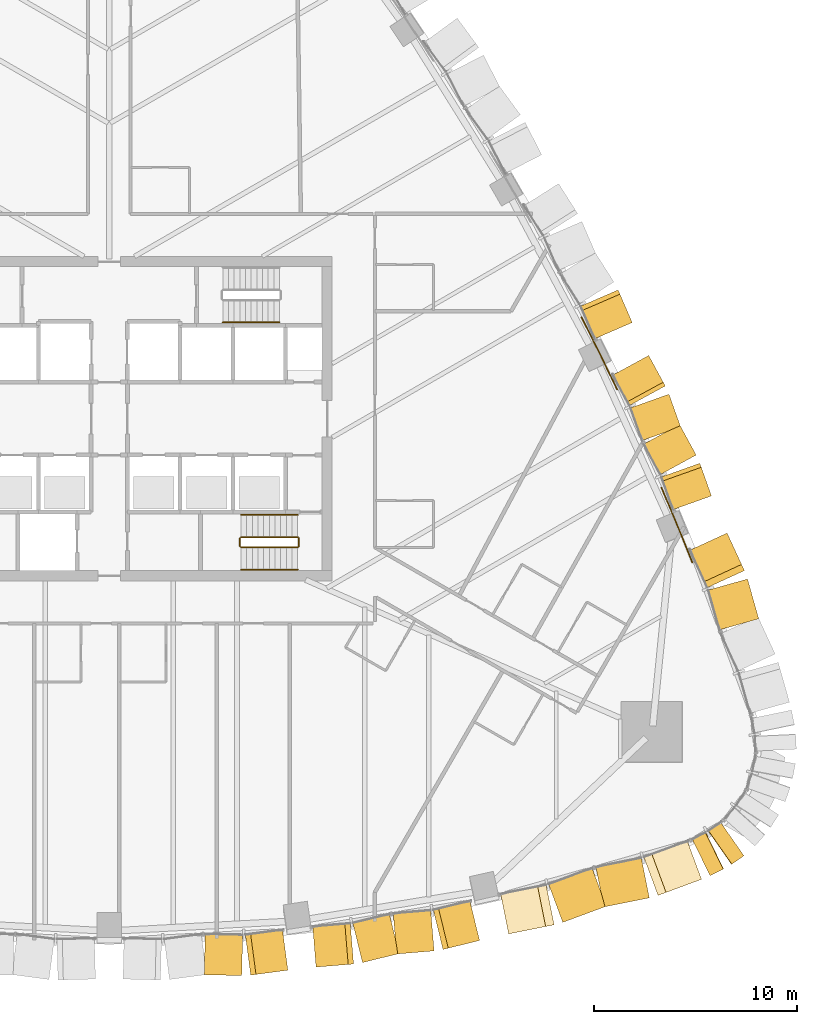
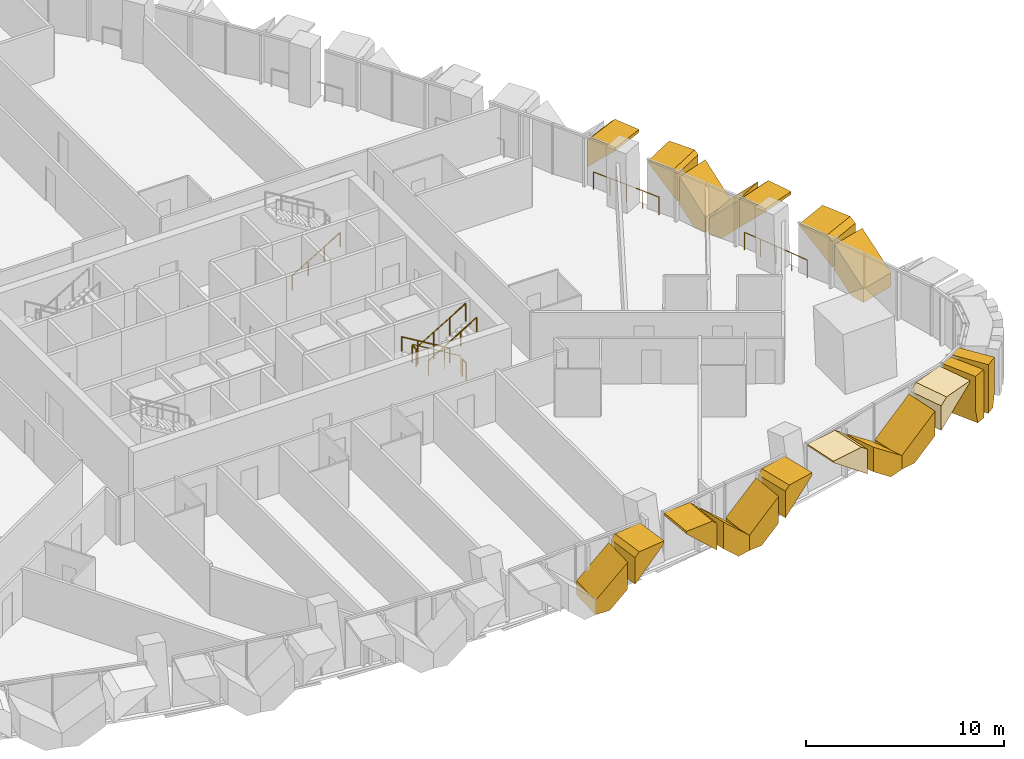
# One storey, part 19 of 22: 19 coverings, 9 railings.
"""IFC4 building model written with IfcOpenShell, lengths in metres."""

from ifc_helpers import new_model, si_unit, direction, frame, origin, origin_2d, place, context, subcontext, project, spatial, polyline, circle, outline, extrude, material, layer, layer_set, type_object, element, save


model = new_model("IFC4")

# Units and contexts
model_context = context("Model", 3, precision=1e-05, world=origin(), true_north=direction((0.0, 1.0)))
body_context = subcontext(model_context, "Body", "Model", "MODEL_VIEW")
ifc_project = project(units=[si_unit("LENGTHUNIT", "METRE"), si_unit("AREAUNIT", "SQUARE_METRE"), si_unit("VOLUMEUNIT", "CUBIC_METRE"), si_unit("PLANEANGLEUNIT", "RADIAN"), si_unit("MASSUNIT", "GRAM", prefix="KILO")], contexts=[model_context])

# Site, building, storey
site_placement = place(None, origin())
site = spatial("IfcSite", under=ifc_project, at=site_placement, CompositionType="ELEMENT")
building_placement = place(site_placement, origin())
building = spatial("IfcBuilding", under=site, at=building_placement, Name="Sierra Prisma Convention Tower", CompositionType="ELEMENT")
storey_placement = place(building_placement, frame((0.0, 0.0, 62.800048828125)))
storey = spatial("IfcBuildingStorey", under=building, at=storey_placement, Name="L11", CompositionType="ELEMENT", Elevation=62.800048828125)

# Coverings
ifc_material_1 = material(Name="Aluminium 6063-T6 bronze anodised", Category="aluminium")
ifc_layer = layer(ifc_material_1, 2.0)
ifc_layer_set = layer_set([ifc_layer], Name="Bronze crystal chevron frame")
covering_type = type_object("IfcCoveringType", Name="Bronze crystal chevron frame", PredefinedType="CLADDING", material=ifc_layer_set)
covering_1_placement = place(storey_placement, frame((4.684326171875, -27.435546875, 0.0), z_axis=(-0.024944917786, -0.999688826244, 4.1956985e-05), x_axis=(0.999688827123, -0.024944917808, -5.427e-09)))
element("IfcCovering", 1, at=covering_1_placement, inside=storey, type_object=covering_type, Name="CW-2 chevron frame S4.2.1", PredefinedType="CLADDING", context=body_context, shape_type="SweptSolid", body=[
    extrude(outline(polyline([(0.0, 0.0), (0.8178840954913237, 1.0587911840678754e-22), (1.8514051675748315, 0.9672851671492808), (1.8514051586549882, 2.6108398532026333), (-4.764669660574728e-09, 0.8779296867272511), (0.0, 0.0)])), origin(), (0.0, 0.0, -1.0), 2.0),
])
covering_2_placement = place(storey_placement, frame((8.813232421875, -27.2138671875, 2.97998046875), z_axis=(0.131863824942, -0.991267839424, 4.6858179e-05), x_axis=(-0.991267840512, -0.131863825087, 2.492e-09)))
element("IfcCovering", 2, at=covering_2_placement, inside=storey, type_object=covering_type, Name="CW-2 chevron frame S4.2.2", PredefinedType="CLADDING", context=body_context, shape_type="SweptSolid", body=[
    extrude(outline(polyline([(0.0, 0.0), (1.587336066943293, -1.6940658945086007e-21), (1.8513730907449706, 0.24731445801066915), (1.8513730866481493, 1.8911132843310339), (-3.9367939471874176e-10, 0.15795898420158563), (0.0, 0.0)])), origin(), (0.0, 0.0, -1.0), 2.0),
])
covering_3_placement = place(storey_placement, frame((10.20361328125, -27.061767578125, 2.97998046875), z_axis=(0.082620947547, -0.996581041239, -8.5261617e-05), x_axis=(-7.044396e-06, 8.4970111e-05, -0.999999996365)))
element("IfcCovering", 3, at=covering_3_placement, inside=storey, type_object=covering_type, Name="CW-2 chevron frame S5.1.1", PredefinedType="CLADDING", context=body_context, shape_type="SweptSolid", body=[
    extrude(outline(polyline([(0.0, 0.0), (0.15649414005617954, 0.0), (1.8898925730659588, 1.858406343387127), (0.24902343840514335, 1.858406343387127), (-1.3066010328628537e-08, 1.5916106246107489), (0.0, 0.0)])), origin(), (0.0, 0.0, -1.0), 2.0),
])
covering_4_placement = place(storey_placement, frame((12.493408203125, -26.837158203125, 2.60986328125), z_axis=(0.237482976747, -0.971391700215, -2.2575844e-05), x_axis=(-5.361379e-06, 2.1929987e-05, -0.999999999745)))
element("IfcCovering", 4, at=covering_4_placement, inside=storey, type_object=covering_type, Name="CW-2 chevron frame S5.1.2", PredefinedType="CLADDING", context=body_context, shape_type="SweptSolid", body=[
    extrude(outline(polyline([(0.0, 0.0), (1.6411132808317879, 0.0), (2.6098632823617893, 1.0390206492340577), (2.6098632810786584, 1.8585963981897418), (1.733398437552012, 1.8585963981897418), (0.0, 0.0)])), origin(), (0.0, 0.0, -1.0), 2.0),
])
covering_5_placement = place(storey_placement, frame((14.17626953125, -26.41552734375, 0.0), z_axis=(0.082613594583, -0.996581653799, 3.6071506e-05), x_axis=(0.996581654447, 0.082613594636, -3.996e-09)))
element("IfcCovering", 5, at=covering_5_placement, inside=storey, type_object=covering_type, Name="CW-2 chevron frame S5.2.1", PredefinedType="CLADDING", context=body_context, shape_type="SweptSolid", body=[
    extrude(outline(polyline([(0.0, 0.0), (0.8196890091541774, 4.235164736271502e-22), (1.8584063393084258, 0.9687500080570693), (1.8584063327499796, 2.6098632882393997), (-3.502651242595623e-09, 0.8764648431797923), (0.0, 0.0)])), origin(), (0.0, 0.0, -1.0), 2.0),
])
covering_6_placement = place(storey_placement, frame((18.271484375, -25.74951171875, 2.97998046875), z_axis=(0.237489001351, -0.971390226692, 4.1534181e-05), x_axis=(-0.97139022753, -0.237489001556, 1.948e-09)))
element("IfcCovering", 6, at=covering_6_placement, inside=storey, type_object=covering_type, Name="CW-2 chevron frame S5.2.2", PredefinedType="CLADDING", context=body_context, shape_type="SweptSolid", body=[
    extrude(outline(polyline([(0.0, 0.0), (1.5916619349007335, 0.0), (1.8585963978045326, 0.24902344133540102), (1.8585963946080652, 1.8898925805450788), (-3.0485576874923425e-10, 0.1564941404900169), (0.0, 0.0)])), origin(), (0.0, 0.0, -1.0), 2.0),
])
covering_7_placement = place(storey_placement, frame((19.703369140625, -25.425537109375, 2.97998046875), z_axis=(0.196200802837, -0.980563738165, 1.9054716e-05), x_axis=(3.738551e-06, -1.8684363e-05, -0.999999999818)))
element("IfcCovering", 7, at=covering_7_placement, inside=storey, type_object=covering_type, Name="CW-2 chevron frame S6.1.1", PredefinedType="CLADDING", context=body_context, shape_type="SweptSolid", body=[
    extrude(outline(polyline([(0.0, 0.0), (0.08178710936015228, 3.4638188150658034e-23), (1.8361816404093756, 2.2896175818073434), (0.32421875005885903, 2.2896175818073434), (-5.786622387188054e-10, 1.8663591276669937), (0.0, 0.0)])), origin(), (0.0, 0.0, -1.0), 2.0),
])
covering_8_placement = place(storey_placement, frame((22.375, -24.85546875, 2.55615234375), z_axis=(0.347306117789, -0.93775181174, -1.114122e-05), x_axis=(-3.869414e-06, 1.0447699e-05, -0.999999999938)))
element("IfcCovering", 8, at=covering_8_placement, inside=storey, type_object=covering_type, Name="CW-2 chevron frame S6.1.2", PredefinedType="CLADDING", context=body_context, shape_type="SweptSolid", body=[
    extrude(outline(polyline([(0.0, 0.0), (1.5119628905311626, 6.4034119169261255e-22), (2.5561523440081633, 1.362929027636668), (2.5561523437209686, 2.289493520181872), (1.7543945312707283, 2.289493520181872), (0.0, 0.0)])), origin(), (0.0, 0.0, -1.0), 2.0),
])
covering_9_placement = place(storey_placement, frame((24.40234375, -24.09423828125, 0.0), z_axis=(0.196208963177, -0.980562105216, -2.416455e-05), x_axis=(0.980562105502, 0.196208963234, -1.458e-09)))
element("IfcCovering", 9, at=covering_9_placement, inside=storey, type_object=covering_type, Name="CW-2 chevron frame S6.2.1", PredefinedType="CLADDING", context=body_context, shape_type="SweptSolid", body=[
    extrude(outline(polyline([(0.0, 0.0), (0.9267157798554708, -8.470329472543003e-22), (2.28961758015434, 1.0441894567678522), (2.2896175779500796, 2.5561523469514156), (-1.168866733900705e-09, 0.8017578122659167), (0.0, 0.0)])), origin(), (0.0, 0.0, -1.0), 2.0),
])
covering_10_placement = place(storey_placement, frame((29.220947265625, -22.72900390625, 2.97998046875), z_axis=(0.347314406813, -0.937748741463, -2.6538075e-05), x_axis=(-0.937748741794, -0.347314406935, 6.01e-10)))
element("IfcCovering", 10, at=covering_10_placement, inside=storey, type_object=covering_type, Name="CW-2 chevron frame S6.2.2", PredefinedType="CLADDING", context=body_context, shape_type="SweptSolid", body=[
    extrude(outline(polyline([(0.0, 0.0), (1.8661871903292488, -3.3881317890172014e-21), (2.2894935200002577, 0.3242187514911981), (2.2894935190908785, 1.8361816415837833), (-4.9191343399761016e-11, 0.08178710934619991), (0.0, 0.0)])), origin(), (0.0, 0.0, -1.0), 2.0),
])
covering_11_placement = place(storey_placement, frame((29.638916015625, -22.550537109375, 2.97998046875), z_axis=(0.437308317583, -0.899311644679, -3.3426879e-05), x_axis=(-1.4617852e-05, 3.0061182e-05, -0.999999999441)))
element("IfcCovering", 11, at=covering_11_placement, inside=storey, type_object=covering_type, Name="CW-2 chevron frame SE1.1.1", PredefinedType="CLADDING", context=body_context, shape_type="SweptSolid", body=[
    extrude(outline(polyline([(0.0, 0.0), (2.1345214831824895, 0.0), (2.979980468059084, 0.20036271490330765), (2.979980467319739, 0.7519891506997387), (0.10449218767621193, 0.7519891506997387), (-5.2655612759426726e-09, 0.7272049138799768), (0.0, 0.0)])), origin(), (0.0, 0.0, -1.0), 2.0),
])
covering_12_placement = place(storey_placement, frame((31.14990234375, -21.681396484375, 0.0), z_axis=(0.572322150909, -0.820028874758, -1.1934349e-05), x_axis=(0.189145538045, 0.131996045429, 0.973037003114)))
element("IfcCovering", 12, at=covering_12_placement, inside=storey, type_object=covering_type, Name="CW-2 chevron frame SE1.1.2", PredefinedType="CLADDING", context=body_context, shape_type="SweptSolid", body=[
    extrude(outline(polyline([(0.0, 0.0), (0.8688867749607325, 0.0), (2.945855163199183, 0.4923253810923183), (2.7781435759526403, 1.1998486609785628), (2.670720765121735, 1.1999968555366793), (-0.1272357345548597, 0.5367681767644815), (0.0, 0.0)])), origin(), (0.0, 0.0, -1.0), 2.0),
])
covering_13_placement = place(storey_placement, frame((31.809814453125, -9.044921875, 0.0), z_axis=(0.962457627095, 0.271431973147, -4.93028e-07), x_axis=(-0.206371516991, 0.731764053045, 0.649563059022)))
element("IfcCovering", 13, at=covering_13_placement, inside=storey, type_object=covering_type, Name="CW-2 chevron frame NE1.2.1", PredefinedType="CLADDING", context=body_context, shape_type="SweptSolid", body=[
    extrude(outline(polyline([(0.0, 0.0), (1.5473893399024452, 1.1102230246251565e-16), (2.5727982118844848, 1.2002318680150128), (-0.1104970411771341, 1.1999759326150028), (-0.6565042707215453, 0.5608793780873675), (0.0, 0.0)])), origin(), (0.0, 0.0, -1.0), 2.0),
])
covering_14_placement = place(storey_placement, frame((30.4833984375, -5.644287109375, 2.97998046875), z_axis=(0.908172965385, 0.4185951086, -1.9606e-07), x_axis=(0.4185951086, -0.908172965385, 0.0)))
element("IfcCovering", 14, at=covering_14_placement, inside=storey, type_object=covering_type, Name="CW-2 chevron frame NE1.2.2", PredefinedType="CLADDING", context=body_context, shape_type="SweptSolid", body=[
    extrude(outline(polyline([(0.0, 0.0), (1.7059707839326428, 2.6469779601696886e-23), (2.0395838337768613, 0.28515625000008354), (2.039583833776801, 1.8637695312500533), (-4.617649552327351e-15, 0.12060546874999768), (0.0, 0.0)])), origin(), (0.0, 0.0, -1.0), 2.0),
])
covering_15_placement = place(storey_placement, frame((29.712646484375, -3.81494140625, 2.97998046875), z_axis=(0.942134585595, 0.33523486937, -7.0594279e-05), x_axis=(-6.6509312e-05, -2.3665664e-05, -0.999999997508)))
element("IfcCovering", 15, at=covering_15_placement, inside=storey, type_object=covering_type, Name="CW-2 chevron frame NE2.1.1", PredefinedType="CLADDING", context=body_context, shape_type="SweptSolid", body=[
    extrude(outline(polyline([(0.0, 0.0), (0.19189453077184182, 0.0), (1.9160156212878863, 1.7121143560526717), (0.21313476615608415, 1.7121143560526717), (-9.442712055992479e-09, 1.5006067459474004), (0.0, 0.0)])), origin(), (0.0, 0.0, -1.0), 2.0),
])
covering_16_placement = place(storey_placement, frame((28.957763671875, -1.797119140625, 2.635986328125), z_axis=(0.878169978566, 0.478348709529, -2.8931477e-05), x_axis=(-2.5406754e-05, -1.3839334e-05, -0.999999999581)))
element("IfcCovering", 16, at=covering_16_placement, inside=storey, type_object=covering_type, Name="CW-2 chevron frame NE2.1.2", PredefinedType="CLADDING", context=body_context, shape_type="SweptSolid", body=[
    extrude(outline(polyline([(0.0, 0.0), (1.7028808586623185, 0.0), (2.635986329991459, 0.9266654776987887), (2.6359863278028373, 1.7122824270981702), (1.7241210938094669, 1.7122824270981702), (0.0, 0.0)])), origin(), (0.0, 0.0, -1.0), 2.0),
])
covering_17_placement = place(storey_placement, frame((27.926025390625, 0.333251953125, 0.0), z_axis=(0.942143903342, 0.335208688687, -2.0590813e-05), x_axis=(-0.236188311567, 0.663878938035, 0.709563131168)))
element("IfcCovering", 17, at=covering_17_placement, inside=storey, type_object=covering_type, Name="CW-2 chevron frame NE2.2.1", PredefinedType="CLADDING", context=body_context, shape_type="SweptSolid", body=[
    extrude(outline(polyline([(0.0, 0.0), (1.3150422124144798, -1.1102230246251565e-16), (2.5233436869982606, 1.199921150124014), (0.09338138833217402, 1.200049674769779), (-0.5536445625739794, 0.557511252445307), (0.0, 0.0)])), origin(), (0.0, 0.0, -1.0), 2.0),
])
covering_18_placement = place(storey_placement, frame((26.615478515625, 3.11474609375, 2.97998046875), z_axis=(0.878165254074, 0.478357381355, 4.7326063e-05), x_axis=(0.478357381891, -0.878165255058, 2.828e-09)))
element("IfcCovering", 18, at=covering_18_placement, inside=storey, type_object=covering_type, Name="CW-2 chevron frame NE2.2.2", PredefinedType="CLADDING", context=body_context, shape_type="SweptSolid", body=[
    extrude(outline(polyline([(0.0, 0.0), (1.5006608275294167, -3.3881317890172014e-21), (1.7122824266785324, 0.2131347707059811), (1.7122824218628236, 1.916015628173962), (-5.42673414421623e-10, 0.1918945310351015), (0.0, 0.0)])), origin(), (0.0, 0.0, -1.0), 2.0),
])
covering_19_placement = place(storey_placement, frame((25.802490234375, 4.739990234375, 2.97998046875), z_axis=(0.917608153533, 0.397486190886, -6.8006516e-05), x_axis=(-6.2403333e-05, -2.7031651e-05, -0.999999997688)))
element("IfcCovering", 19, at=covering_19_placement, inside=storey, type_object=covering_type, Name="CW-2 chevron frame NE3.1.1", PredefinedType="CLADDING", context=body_context, shape_type="SweptSolid", body=[
    extrude(outline(polyline([(0.0, 0.0), (0.18115234333109553, -1.227536029028693e-21), (1.9079589809994881, 1.7541531088934899), (0.2241210942682673, 1.7541531088934899), (-8.625367537286148e-09, 1.5266085897908088), (0.0, 0.0)])), origin(), (0.0, 0.0, -1.0), 2.0),
])

# Railings
ifc_material_2 = material(Name="Stainless steel", Category="steel")
railing_type_1 = type_object("IfcRailingType", Name="Exit stair handrail", PredefinedType="HANDRAIL", material=ifc_material_2)
railing_1_placement = place(storey_placement, frame((9.300048828125, -4.75, 0.168212890625)))
element("IfcRailing", 20, at=railing_1_placement, inside=storey, type_object=railing_type_1, Name="L11 S2 stair handrail 1", PredefinedType="HANDRAIL", context=body_context, shape_type="SweptSolid", body=[
    extrude(circle(Radius=0.02392578125, at=origin_2d()), frame((0.0, 0.0, 0.8759765625), z_axis=(-0.857275202839, 0.0, 0.514858452973), x_axis=(0.0, -1.0, 0.0)), (0.0, 0.0, 1.0), 3.26611328125),
    extrude(circle(Radius=0.02099609375, at=origin_2d()), origin(), (0.0, 0.0, 1.0), 0.851806640625),
    extrude(circle(Radius=0.02099609375, at=origin_2d()), frame((-0.933349609375, 0.0, 0.560546875)), (0.0, 0.0, 1.0), 0.851806640625),
    extrude(circle(Radius=0.02099609375, at=origin_2d()), frame((-1.86669921875, 0.0, 1.12109375)), (0.0, 0.0, 1.0), 0.851806640625),
    extrude(circle(Radius=0.02099609375, at=origin_2d()), frame((-2.800048828125, 0.0, 1.681640625)), (0.0, 0.0, 1.0), 0.851806640625),
])
railing_2_placement = place(storey_placement, frame((6.5, -7.449951171875, 2.01806640625)))
element("IfcRailing", 21, at=railing_2_placement, inside=storey, type_object=railing_type_1, Name="L11 S2 stair handrail 2", PredefinedType="HANDRAIL", context=body_context, shape_type="SweptSolid", body=[
    extrude(circle(Radius=0.02392578125, at=origin_2d()), frame((0.0, 0.0, 0.8759765625), z_axis=(0.857242210791, 0.0, 0.514913383045), x_axis=(0.0, 1.0, 0.0)), (0.0, 0.0, 1.0), 3.266357421875),
    extrude(circle(Radius=0.02099609375, at=origin_2d()), origin(), (0.0, 0.0, 1.0), 0.851806640625),
    extrude(circle(Radius=0.02099609375, at=origin_2d()), frame((0.933349609375, 0.0, 0.560546875)), (0.0, 0.0, 1.0), 0.851806640625),
    extrude(circle(Radius=0.02099609375, at=origin_2d()), frame((1.86669921875, 0.0, 1.121337890625)), (0.0, 0.0, 1.0), 0.851806640625),
    extrude(circle(Radius=0.02099609375, at=origin_2d()), frame((2.800048828125, 0.0, 1.681884765625)), (0.0, 0.0, 1.0), 0.851806640625),
])
railing_3_placement = place(storey_placement, frame((5.60009765625, 4.75, 0.168212890625)))
element("IfcRailing", 22, at=railing_3_placement, inside=storey, type_object=railing_type_1, Name="L11 S4 stair handrail 1", PredefinedType="HANDRAIL", context=body_context, shape_type="SweptSolid", body=[
    extrude(circle(Radius=0.02392578125, at=origin_2d()), frame((0.0, 0.0, 0.8759765625), z_axis=(0.857255387014, 0.0, 0.514891446264), x_axis=(0.0, 1.0, 0.0)), (0.0, 0.0, 1.0), 3.26611328125),
    extrude(circle(Radius=0.02099609375, at=origin_2d()), origin(), (0.0, 0.0, 1.0), 0.851806640625),
    extrude(circle(Radius=0.02099609375, at=origin_2d()), frame((0.933349609375, 0.0, 0.560546875)), (0.0, 0.0, 1.0), 0.851806640625),
    extrude(circle(Radius=0.02099609375, at=origin_2d()), frame((1.866455078125, 0.0, 1.12109375)), (0.0, 0.0, 1.0), 0.851806640625),
    extrude(circle(Radius=0.02099609375, at=origin_2d()), frame((2.7998046875, 0.0, 1.681640625)), (0.0, 0.0, 1.0), 0.851806640625),
])
ifc_material_3 = material(Name="Bronze anodised aluminium", Category="aluminium")
railing_type_2 = type_object("IfcRailingType", Name="Facade guard 1100", PredefinedType="GUARDRAIL", material=ifc_material_3)
railing_4_placement = place(storey_placement, frame((28.765380859375, -7.08984375, 0.0)))
element("IfcRailing", 23, at=railing_4_placement, inside=storey, type_object=railing_type_2, Name="Facade guard", PredefinedType="GUARDRAIL", context=body_context, shape_type="SweptSolid", body=[
    extrude(circle(Radius=0.02392578125, at=origin_2d()), frame((0.0, 0.0, 1.076171875), z_axis=(-0.372863712027, 0.927886120304, 0.0), x_axis=(-0.927886120304, -0.372863712027, 0.0)), (0.0, 0.0, 1.0), 0.999755859375),
    extrude(circle(Radius=0.02392578125, at=origin_2d()), frame((-0.372802734375, 0.927734375, 1.076171875), z_axis=(-0.377351476906, 0.926070117689, 0.0), x_axis=(-0.926070117689, -0.377351476906, 0.0)), (0.0, 0.0, 1.0), 0.994384765625),
    extrude(circle(Radius=0.02392578125, at=origin_2d()), frame((-0.748046875, 1.8486328125, 1.076171875), z_axis=(-0.3857419001, 0.92260673448, 0.0), x_axis=(-0.92260673448, -0.3857419001, 0.0)), (0.0, 0.0, 1.0), 1.0),
    extrude(circle(Radius=0.02392578125, at=origin_2d()), frame((-1.1337890625, 2.771240234375, 1.076171875), z_axis=(-0.390776768686, 0.920485479003, 0.0), x_axis=(-0.920485479003, -0.390776768686, 0.0)), (0.0, 0.0, 1.0), 0.99462890625),
    extrude(circle(Radius=0.02099609375, at=origin_2d()), origin(), (0.0, 0.0, 1.0), 1.052001953125),
    extrude(circle(Radius=0.02099609375, at=origin_2d()), frame((-0.372802734375, 0.927734375, 0.0)), (0.0, 0.0, 1.0), 1.052001953125),
    extrude(circle(Radius=0.02099609375, at=origin_2d()), frame((-0.748046875, 1.8486328125, 0.0)), (0.0, 0.0, 1.0), 1.052001953125),
    extrude(circle(Radius=0.02099609375, at=origin_2d()), frame((-1.1337890625, 2.771240234375, 0.0)), (0.0, 0.0, 1.0), 1.052001953125),
    extrude(circle(Radius=0.02099609375, at=origin_2d()), frame((-1.5224609375, 3.686767578125, 0.0)), (0.0, 0.0, 1.0), 1.052001953125),
])
railing_5_placement = place(storey_placement, frame((25.056884765625, 1.435302734375, 0.0)))
element("IfcRailing", 24, at=railing_5_placement, inside=storey, type_object=railing_type_2, Name="Facade guard", PredefinedType="GUARDRAIL", context=body_context, shape_type="SweptSolid", body=[
    extrude(circle(Radius=0.02392578125, at=origin_2d()), frame((0.0, 0.0, 1.076171875), z_axis=(-0.434206717689, 0.900813258292, 0.0), x_axis=(-0.900813258292, -0.434206717689, 0.0)), (0.0, 0.0, 1.0), 0.99462890625),
    extrude(circle(Radius=0.02392578125, at=origin_2d()), frame((-0.431884765625, 0.89599609375, 1.076171875), z_axis=(-0.436339405169, 0.899782153356, 0.0), x_axis=(-0.899782153356, -0.436339405169, 0.0)), (0.0, 0.0, 1.0), 0.999755859375),
    extrude(circle(Radius=0.02392578125, at=origin_2d()), frame((-0.8681640625, 1.795654296875, 1.076171875), z_axis=(-0.4472135955, 0.894427191, 0.0), x_axis=(-0.894427191, -0.4472135955, 0.0)), (0.0, 0.0, 1.0), 0.99462890625),
    extrude(circle(Radius=0.02392578125, at=origin_2d()), frame((-1.31298828125, 2.685302734375, 1.076171875), z_axis=(-0.448776422896, 0.893644069109, 0.0), x_axis=(-0.893644069109, -0.448776422896, 0.0)), (0.0, 0.0, 1.0), 0.999267578125),
    extrude(circle(Radius=0.02099609375, at=origin_2d()), origin(), (0.0, 0.0, 1.0), 1.052001953125),
    extrude(circle(Radius=0.02099609375, at=origin_2d()), frame((-0.431884765625, 0.89599609375, 0.0)), (0.0, 0.0, 1.0), 1.052001953125),
    extrude(circle(Radius=0.02099609375, at=origin_2d()), frame((-0.8681640625, 1.795654296875, 0.0)), (0.0, 0.0, 1.0), 1.052001953125),
    extrude(circle(Radius=0.02099609375, at=origin_2d()), frame((-1.31298828125, 2.685302734375, 0.0)), (0.0, 0.0, 1.0), 1.052001953125),
    extrude(circle(Radius=0.02099609375, at=origin_2d()), frame((-1.761474609375, 3.578369140625, 0.0)), (0.0, 0.0, 1.0), 1.052001953125),
])
ifc_material_4 = material(Name="Stainless steel", Category="steel")
railing_type_3 = type_object("IfcRailingType", Name="Stair guard 1100", PredefinedType="GUARDRAIL", material=ifc_material_4)
railing_6_placement = place(storey_placement, frame((9.300048828125, -5.85009765625, 0.168212890625)))
element("IfcRailing", 25, at=railing_6_placement, inside=storey, type_object=railing_type_3, Name="L11 S2 stair guard 1", PredefinedType="GUARDRAIL", context=body_context, shape_type="SweptSolid", body=[
    extrude(circle(Radius=0.02392578125, at=origin_2d()), frame((0.0, 0.0, 1.076171875), z_axis=(-0.857275202839, 0.0, 0.514858452973), x_axis=(0.0, -1.0, 0.0)), (0.0, 0.0, 1.0), 3.26611328125),
    extrude(circle(Radius=0.02099609375, at=origin_2d()), origin(), (0.0, 0.0, 1.0), 1.052001953125),
    extrude(circle(Radius=0.02099609375, at=origin_2d()), frame((-0.933349609375, 0.0, 0.560546875)), (0.0, 0.0, 1.0), 1.052001953125),
    extrude(circle(Radius=0.02099609375, at=origin_2d()), frame((-1.86669921875, 0.0, 1.12109375)), (0.0, 0.0, 1.0), 1.052001953125),
    extrude(circle(Radius=0.02099609375, at=origin_2d()), frame((-2.800048828125, 0.0, 1.681640625)), (0.0, 0.0, 1.0), 1.052001953125),
])
railing_7_placement = place(storey_placement, frame((6.449951171875, -5.89990234375, 1.849853515625)))
element("IfcRailing", 26, at=railing_7_placement, inside=storey, type_object=railing_type_3, Name="L11 S2 stair guard 2", PredefinedType="GUARDRAIL", context=body_context, shape_type="SweptSolid", body=[
    extrude(circle(Radius=0.02392578125, at=origin_2d()), frame((0.0, 0.0, 1.076171875), z_axis=(0.0, -1.0, 0.0), x_axis=(1.0, 0.0, 0.0)), (0.0, 0.0, 1.0), 0.400146484375),
    extrude(circle(Radius=0.02099609375, at=origin_2d()), origin(), (0.0, 0.0, 1.0), 1.052001953125),
    extrude(circle(Radius=0.02099609375, at=origin_2d()), frame((0.0, -0.400146484375, 0.0)), (0.0, 0.0, 1.0), 1.052001953125),
])
railing_8_placement = place(storey_placement, frame((6.5, -6.35009765625, 2.01806640625)))
element("IfcRailing", 27, at=railing_8_placement, inside=storey, type_object=railing_type_3, Name="L11 S2 stair guard 3", PredefinedType="GUARDRAIL", context=body_context, shape_type="SweptSolid", body=[
    extrude(circle(Radius=0.02392578125, at=origin_2d()), frame((0.0, 0.0, 1.076171875), z_axis=(0.857242210791, 0.0, 0.514913383045), x_axis=(0.0, 1.0, 0.0)), (0.0, 0.0, 1.0), 3.266357421875),
    extrude(circle(Radius=0.02099609375, at=origin_2d()), origin(), (0.0, 0.0, 1.0), 1.052001953125),
    extrude(circle(Radius=0.02099609375, at=origin_2d()), frame((0.933349609375, 0.0, 0.560546875)), (0.0, 0.0, 1.0), 1.052001953125),
    extrude(circle(Radius=0.02099609375, at=origin_2d()), frame((1.86669921875, 0.0, 1.121337890625)), (0.0, 0.0, 1.0), 1.052001953125),
    extrude(circle(Radius=0.02099609375, at=origin_2d()), frame((2.800048828125, 0.0, 1.681884765625)), (0.0, 0.0, 1.0), 1.052001953125),
])
railing_9_placement = place(storey_placement, frame((9.35009765625, -5.89990234375, 0.0)))
element("IfcRailing", 28, at=railing_9_placement, inside=storey, type_object=railing_type_3, Name="L11 S2 stair guard 4", PredefinedType="GUARDRAIL", context=body_context, shape_type="SweptSolid", body=[
    extrude(circle(Radius=0.02392578125, at=origin_2d()), frame((0.0, 0.0, 1.076171875), z_axis=(0.0, -1.0, 0.0), x_axis=(1.0, 0.0, 0.0)), (0.0, 0.0, 1.0), 0.400146484375),
    extrude(circle(Radius=0.02099609375, at=origin_2d()), origin(), (0.0, 0.0, 1.0), 1.052001953125),
    extrude(circle(Radius=0.02099609375, at=origin_2d()), frame((0.0, -0.400146484375, 0.0)), (0.0, 0.0, 1.0), 1.052001953125),
])

save(model, "model.ifc")
